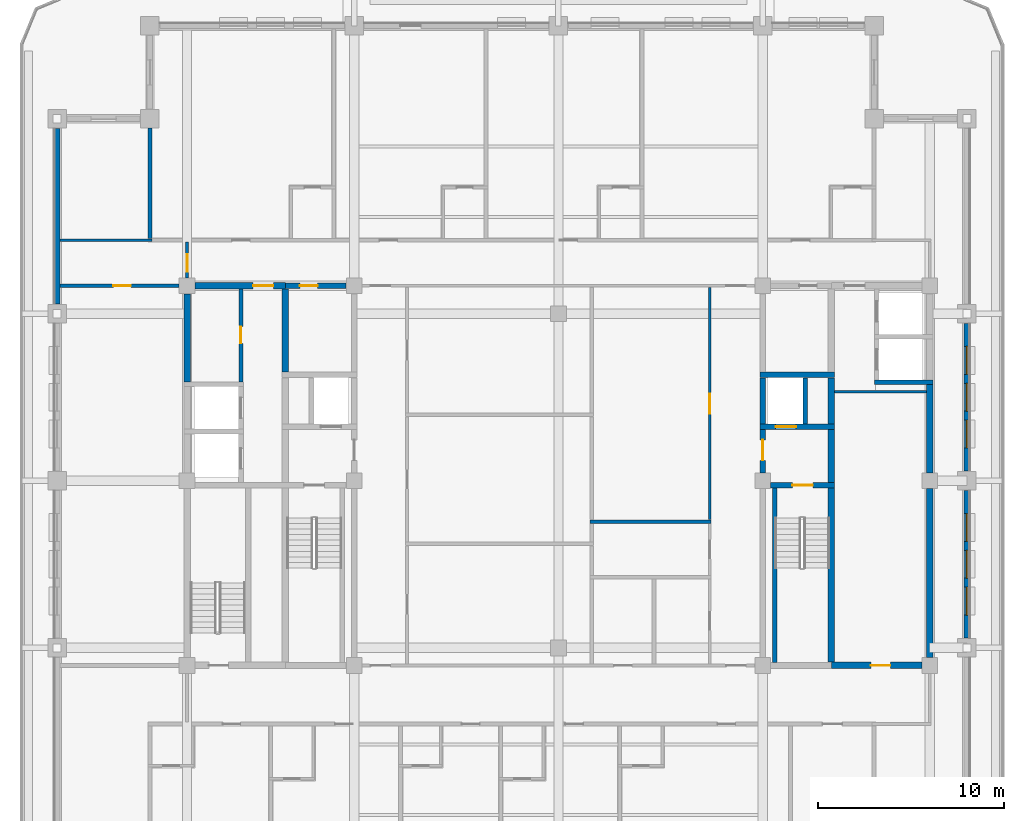
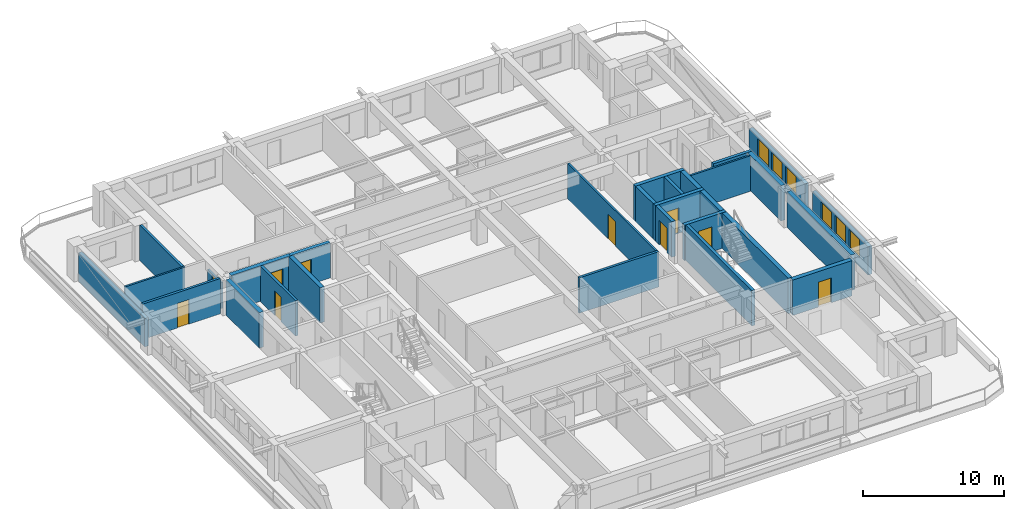
# One storey, part 5 of 14: 29 walls, 10 doors, 6 windows, 16 openings.
"""IFC4 building model written with IfcOpenShell, lengths in metres."""

from ifc_helpers import new_model, si_unit, direction, frame, frame_2d, origin, place, context, subcontext, project, spatial, rectangle, extrude, material, layer, layer_set, type_object, element, fill, save


model = new_model("IFC4")

# Units and contexts
model_context = context("Model", 3, precision=1e-05, world=origin(), true_north=direction((0.0, 1.0)))
body_context = subcontext(model_context, "Body", "Model", "MODEL_VIEW")
ifc_project = project(units=[si_unit("LENGTHUNIT", "METRE"), si_unit("AREAUNIT", "SQUARE_METRE"), si_unit("VOLUMEUNIT", "CUBIC_METRE"), si_unit("PLANEANGLEUNIT", "RADIAN"), si_unit("MASSUNIT", "GRAM", prefix="KILO")], contexts=[model_context])

# Site, building, storey
site_placement = place(None, origin())
site = spatial("IfcSite", under=ifc_project, at=site_placement, CompositionType="ELEMENT")
building_placement = place(site_placement, origin())
building = spatial("IfcBuilding", under=site, at=building_placement, Name="Zulmaris Gate Convention Tower", CompositionType="ELEMENT")
storey_placement = place(building_placement, frame((0.0, 0.0, 208.4599609375)))
storey = spatial("IfcBuildingStorey", under=building, at=storey_placement, Name="L54", CompositionType="ELEMENT", Elevation=208.4599609375)

# Walls
ifc_material_1 = material(Name="Concrete C50/60", Category="concrete")
ifc_layer_1 = layer(ifc_material_1, 0.25, Name="Concrete C50/60")
ifc_layer_set_1 = layer_set([ifc_layer_1], Name="Concrete C50/60")
wall_type_1 = type_object("IfcWallType", Name="CORE-250", PredefinedType="SOLIDWALL", material=ifc_layer_set_1)
wall_1_placement = place(storey_placement, frame((17.02490234375, 5.300048828125, 0.0), z_axis=(0.0, 0.0, 1.0), x_axis=(1.0, 0.0, 0.0)))
element("IfcWall", 1, at=wall_1_placement, inside=storey, type_object=wall_type_1, Name="WL-L54-011", PredefinedType="SOLIDWALL", context=body_context, shape_type="SweptSolid", body=[
    extrude(rectangle(XDim=3.150146484375, YDim=0.25, at=frame_2d((1.5751953125, 0.0))), origin(), (0.0, 0.0, 1.0), 3.074951171875),
])
wall_2_placement = place(storey_placement, frame((11.64990234375, -9.798095703125, 0.0), z_axis=(0.0, 0.0, 1.0), x_axis=(0.0, 1.0, 0.0)))
element("IfcWall", 2, at=wall_2_placement, inside=storey, type_object=wall_type_1, Name="WL-L54-063", PredefinedType="SOLIDWALL", context=body_context, shape_type="SweptSolid", body=[
    extrude(rectangle(XDim=9.39599609375, YDim=0.25, at=frame_2d((4.697998046875, 0.0))), origin(), (0.0, 0.0, 1.0), 3.074951171875),
])
wall_3_placement = place(storey_placement, frame((13.300048828125, 3.052001953125, 0.0), z_axis=(0.0, 0.0, 1.0), x_axis=(0.0, 1.0, 0.0)))
element("IfcWall", 3, at=wall_3_placement, inside=storey, type_object=wall_type_1, Name="WL-L54-064", PredefinedType="SOLIDWALL", context=body_context, shape_type="SweptSolid", body=[
    extrude(rectangle(XDim=2.49609375, YDim=0.25, at=frame_2d((1.248046875, 0.0))), origin(), (0.0, 0.0, 1.0), 3.074951171875),
])

# Wall, opening, door
ifc_layer_2 = layer(ifc_material_1, 0.300048828125, Name="Concrete C50/60")
ifc_layer_set_2 = layer_set([ifc_layer_2], Name="Concrete C50/60")
wall_type_2 = type_object("IfcWallType", Name="CORE-300", PredefinedType="SHEAR", material=ifc_layer_set_2)
wall_4_placement = place(storey_placement, frame((11.428955078125, -0.25, 0.0), z_axis=(0.0, 0.0, 1.0), x_axis=(1.0, 0.0, 0.0)))
wall_4 = element("IfcWall", 4, at=wall_4_placement, inside=storey, type_object=wall_type_2, Name="WL-L54-006", PredefinedType="SHEAR", context=body_context, shape_type="SweptSolid", body=[
    extrude(rectangle(XDim=3.446044921875, YDim=0.300048828125, at=frame_2d((1.72314453125, 0.0))), origin(), (0.0, 0.0, 1.0), 3.074951171875),
])
opening_1_placement = place(wall_4_placement, frame((1.1708984375, 0.0, 0.0)))
opening_1 = element("IfcOpeningElement", 5, at=opening_1_placement, cuts=wall_4, Name="Opening D-08", PredefinedType="OPENING", context=body_context, shape_type="SweptSolid", body=[
    extrude(rectangle(XDim=1.10009765625, YDim=2.14990234375, at=frame_2d((0.550048828125, 1.074951171875))), frame((0.0, 0.16015625, 0.0), z_axis=(0.0, -1.0, 0.0), x_axis=(1.0, 0.0, 0.0)), (0.0, 0.0, 1.0), 0.320068359375),
])
ifc_material_2 = material(Name="Fire-Rated Steel", Category="steel")
door_type_1 = type_object("IfcDoorType", Name="DR-1100-FD", OperationType="NOTDEFINED", PredefinedType="DOOR", material=ifc_material_2)
door_1_placement = place(opening_1_placement, origin())
door_1 = element("IfcDoor", 6, at=door_1_placement, inside=storey, type_object=door_type_1, Name="L54 Exit Stair ST-2 Door 04", OperationType="SINGLE_SWING_RIGHT", OverallHeight=2.14990234375, OverallWidth=1.10009765625, PredefinedType="DOOR", context=body_context, shape_type="SweptSolid", body=[
    extrude(rectangle(XDim=1.10009765625, YDim=2.14990234375, at=frame_2d((0.550048828125, 1.074951171875))), frame((0.0, 0.02490234375, 0.0), z_axis=(0.0, -1.0, 0.0), x_axis=(1.0, 0.0, 0.0)), (0.0, 0.0, 1.0), 0.050048828125),
])
fill(opening_1, door_1)

wall_5_placement = place(storey_placement, frame((10.85009765625, 2.89990234375, 0.0), z_axis=(0.0, 0.0, 1.0), x_axis=(1.0, 0.0, 0.0)))
wall_5 = element("IfcWall", 7, at=wall_5_placement, inside=storey, type_object=wall_type_2, Name="WL-L54-009", PredefinedType="SHEAR", context=body_context, shape_type="SweptSolid", body=[
    extrude(rectangle(XDim=4.02490234375, YDim=0.300048828125, at=frame_2d((2.012451171875, 0.0))), origin(), (0.0, 0.0, 1.0), 3.074951171875),
])
opening_2_placement = place(wall_5_placement, frame((0.85009765625, 0.0, 0.0)))
opening_2 = element("IfcOpeningElement", 8, at=opening_2_placement, cuts=wall_5, Name="Opening D-06", PredefinedType="OPENING", context=body_context, shape_type="SweptSolid", body=[
    extrude(rectangle(XDim=1.10009765625, YDim=2.199951171875, at=frame_2d((0.550048828125, 1.10009765625))), frame((0.0, 0.16015625, 0.0), z_axis=(0.0, -1.0, 0.0), x_axis=(1.0, 0.0, 0.0)), (0.0, 0.0, 1.0), 0.320068359375),
])
ifc_material_3 = material(Name="Brushed Stainless Steel", Category="steel")
door_type_2 = type_object("IfcDoorType", Name="LD-1100", OperationType="NOTDEFINED", PredefinedType="DOOR", material=ifc_material_3)
door_2_placement = place(opening_2_placement, origin())
door_2 = element("IfcDoor", 9, at=door_2_placement, inside=storey, type_object=door_type_2, Name="L54 Lift Landing Door LF-02 06", OperationType="SLIDING_TO_RIGHT", OverallHeight=2.199951171875, OverallWidth=1.10009765625, PredefinedType="DOOR", context=body_context, shape_type="SweptSolid", body=[
    extrude(rectangle(XDim=1.10009765625, YDim=2.199951171875, at=frame_2d((0.550048828125, 1.10009765625))), frame((0.0, 0.02490234375, 0.0), z_axis=(0.0, -1.0, 0.0), x_axis=(1.0, 0.0, 0.0)), (0.0, 0.0, 1.0), 0.050048828125),
])
fill(opening_2, door_2)

# Wall
wall_6_placement = place(storey_placement, frame((10.85009765625, 5.699951171875, 0.0), z_axis=(0.0, 0.0, 1.0), x_axis=(1.0, 0.0, 0.0)))
element("IfcWall", 10, at=wall_6_placement, inside=storey, type_object=wall_type_2, Name="WL-L54-013", PredefinedType="SHEAR", context=body_context, shape_type="SweptSolid", body=[
    extrude(rectangle(XDim=4.02490234375, YDim=0.300048828125, at=frame_2d((2.012451171875, 0.0))), origin(), (0.0, 0.0, 1.0), 3.074951171875),
])

# Wall, opening, door
wall_7_placement = place(storey_placement, frame((-14.699951171875, 10.5, 0.0), z_axis=(0.0, 0.0, 1.0), x_axis=(1.0, 0.0, 0.0)))
wall_7 = element("IfcWall", 11, at=wall_7_placement, inside=storey, type_object=wall_type_2, Name="WL-L54-016", PredefinedType="SHEAR", context=body_context, shape_type="SweptSolid", body=[
    extrude(rectangle(XDim=3.27099609375, YDim=0.300048828125, at=frame_2d((1.635498046875, 0.0))), origin(), (0.0, 0.0, 1.0), 3.074951171875),
])
opening_3_placement = place(wall_7_placement, frame((0.77490234375, 0.0, 0.0)))
opening_3 = element("IfcOpeningElement", 12, at=opening_3_placement, cuts=wall_7, Name="Opening D-11", PredefinedType="OPENING", context=body_context, shape_type="SweptSolid", body=[
    extrude(rectangle(XDim=0.949951171875, YDim=2.14990234375, at=frame_2d((0.47509765625, 1.074951171875))), frame((0.0, 0.16015625, 0.0), z_axis=(0.0, -1.0, 0.0), x_axis=(1.0, 0.0, 0.0)), (0.0, 0.0, 1.0), 0.320068359375),
])
ifc_material_4 = material(Name="Fire-Rated Timber", Category="wood")
door_type_3 = type_object("IfcDoorType", Name="DR-950-FD", OperationType="NOTDEFINED", PredefinedType="DOOR", material=ifc_material_4)
door_3_placement = place(opening_3_placement, origin())
door_3 = element("IfcDoor", 13, at=door_3_placement, inside=storey, type_object=door_type_3, Name="L54 Core Pantry Door 07", OperationType="SINGLE_SWING_RIGHT", OverallHeight=2.14990234375, OverallWidth=0.949951171875, PredefinedType="DOOR", context=body_context, shape_type="SweptSolid", body=[
    extrude(rectangle(XDim=0.949951171875, YDim=2.14990234375, at=frame_2d((0.47509765625, 1.074951171875))), frame((0.0, 0.02490234375, 0.0), z_axis=(0.0, -1.0, 0.0), x_axis=(1.0, 0.0, 0.0)), (0.0, 0.0, 1.0), 0.050048828125),
])
fill(opening_3, door_3)

wall_8_placement = place(storey_placement, frame((11.0, 0.428955078125, 0.0), z_axis=(0.0, 0.0, 1.0), x_axis=(0.0, 1.0, 0.0)))
wall_8 = element("IfcWall", 14, at=wall_8_placement, inside=storey, type_object=wall_type_2, Name="WL-L54-060", PredefinedType="SHEAR", context=body_context, shape_type="SweptSolid", body=[
    extrude(rectangle(XDim=2.319091796875, YDim=0.300048828125, at=frame_2d((1.15966796875, 0.0))), origin(), (0.0, 0.0, 1.0), 3.074951171875),
])
opening_4_placement = place(wall_8_placement, frame((0.6708984375, 0.0, 0.0)))
opening_4 = element("IfcOpeningElement", 15, at=opening_4_placement, cuts=wall_8, Name="Opening D-08", PredefinedType="OPENING", context=body_context, shape_type="SweptSolid", body=[
    extrude(rectangle(XDim=1.10009765625, YDim=2.14990234375, at=frame_2d((0.550048828125, 1.074951171875))), frame((0.0, 0.16015625, 0.0), z_axis=(0.0, -1.0, 0.0), x_axis=(1.0, 0.0, 0.0)), (0.0, 0.0, 1.0), 0.320068359375),
])
door_4_placement = place(opening_4_placement, origin())
door_4 = element("IfcDoor", 16, at=door_4_placement, inside=storey, type_object=door_type_1, Name="L54 East Firefighting Lobby Door 05", OperationType="SINGLE_SWING_LEFT", OverallHeight=2.14990234375, OverallWidth=1.10009765625, PredefinedType="DOOR", context=body_context, shape_type="SweptSolid", body=[
    extrude(rectangle(XDim=1.10009765625, YDim=2.14990234375, at=frame_2d((0.550048828125, 1.074951171875))), frame((0.0, 0.02490234375, 0.0), z_axis=(0.0, -1.0, 0.0), x_axis=(1.0, 0.0, 0.0)), (0.0, 0.0, 1.0), 0.050048828125),
])
fill(opening_4, door_4)

# Wall
wall_9_placement = place(storey_placement, frame((11.0, 3.052001953125, 0.0), z_axis=(0.0, 0.0, 1.0), x_axis=(0.0, 1.0, 0.0)))
element("IfcWall", 17, at=wall_9_placement, inside=storey, type_object=wall_type_2, Name="WL-L54-061", PredefinedType="SHEAR", context=body_context, shape_type="SweptSolid", body=[
    extrude(rectangle(XDim=2.49609375, YDim=0.300048828125, at=frame_2d((1.248046875, 0.0))), origin(), (0.0, 0.0, 1.0), 3.074951171875),
])

# Wall, opening, door
ifc_material_5 = material(Name="Concrete C55/67", Category="concrete")
ifc_layer_3 = layer(ifc_material_5, 0.35009765625, Name="Concrete C55/67")
ifc_layer_set_3 = layer_set([ifc_layer_3], Name="Concrete C55/67")
wall_type_3 = type_object("IfcWallType", Name="CORE-350", PredefinedType="SHEAR", material=ifc_layer_set_3)
wall_10_placement = place(storey_placement, frame((14.699951171875, -9.949951171875, 0.0), z_axis=(0.0, 0.0, 1.0), x_axis=(1.0, 0.0, 0.0)))
wall_10 = element("IfcWall", 18, at=wall_10_placement, inside=storey, type_object=wall_type_3, Name="WL-L54-004", PredefinedType="SHEAR", context=body_context, shape_type="SweptSolid", body=[
    extrude(rectangle(XDim=4.87109375, YDim=0.35009765625, at=frame_2d((2.435546875, 0.0))), origin(), (0.0, 0.0, 1.0), 3.074951171875),
])
opening_5_placement = place(wall_10_placement, frame((2.125, 0.0, 0.0)))
opening_5 = element("IfcOpeningElement", 19, at=opening_5_placement, cuts=wall_10, Name="Opening D-09", PredefinedType="OPENING", context=body_context, shape_type="SweptSolid", body=[
    extrude(rectangle(XDim=1.050048828125, YDim=2.14990234375, at=frame_2d((0.52490234375, 1.074951171875))), frame((0.0, 0.18505859375, 0.0), z_axis=(0.0, -1.0, 0.0), x_axis=(1.0, 0.0, 0.0)), (0.0, 0.0, 1.0), 0.3701171875),
])
door_type_4 = type_object("IfcDoorType", Name="DR-1050-FD", OperationType="NOTDEFINED", PredefinedType="DOOR", material=ifc_material_2)
door_5_placement = place(opening_5_placement, origin())
door_5 = element("IfcDoor", 20, at=door_5_placement, inside=storey, type_object=door_type_4, Name="L54 Housekeeping Hall Door 17", OperationType="SINGLE_SWING_RIGHT", OverallHeight=2.14990234375, OverallWidth=1.050048828125, PredefinedType="DOOR", context=body_context, shape_type="SweptSolid", body=[
    extrude(rectangle(XDim=1.050048828125, YDim=2.14990234375, at=frame_2d((0.52490234375, 1.074951171875))), frame((0.0, 0.02490234375, 0.0), z_axis=(0.0, -1.0, 0.0), x_axis=(1.0, 0.0, 0.0)), (0.0, 0.0, 1.0), 0.050048828125),
])
fill(opening_5, door_5)

wall_11_placement = place(storey_placement, frame((-19.571044921875, 10.5, 0.0), z_axis=(0.0, 0.0, 1.0), x_axis=(1.0, 0.0, 0.0)))
wall_11 = element("IfcWall", 21, at=wall_11_placement, inside=storey, type_object=wall_type_3, Name="WL-L54-015", PredefinedType="SHEAR", context=body_context, shape_type="SweptSolid", body=[
    extrude(rectangle(XDim=4.87109375, YDim=0.35009765625, at=frame_2d((2.435546875, 0.0))), origin(), (0.0, 0.0, 1.0), 3.074951171875),
])
opening_6_placement = place(wall_11_placement, frame((3.12109375, 0.0, 0.0)))
opening_6 = element("IfcOpeningElement", 22, at=opening_6_placement, cuts=wall_11, Name="Opening D-08", PredefinedType="OPENING", context=body_context, shape_type="SweptSolid", body=[
    extrude(rectangle(XDim=1.10009765625, YDim=2.14990234375, at=frame_2d((0.550048828125, 1.074951171875))), frame((0.0, 0.18505859375, 0.0), z_axis=(0.0, -1.0, 0.0), x_axis=(1.0, 0.0, 0.0)), (0.0, 0.0, 1.0), 0.3701171875),
])
door_6_placement = place(opening_6_placement, origin())
door_6 = element("IfcDoor", 23, at=door_6_placement, inside=storey, type_object=door_type_1, Name="L54 High-Rise West Lift Lobby Door 12", OperationType="SINGLE_SWING_LEFT", OverallHeight=2.14990234375, OverallWidth=1.10009765625, PredefinedType="DOOR", context=body_context, shape_type="SweptSolid", body=[
    extrude(rectangle(XDim=1.10009765625, YDim=2.14990234375, at=frame_2d((0.550048828125, 1.074951171875))), frame((0.0, 0.02490234375, 0.0), z_axis=(0.0, -1.0, 0.0), x_axis=(1.0, 0.0, 0.0)), (0.0, 0.0, 1.0), 0.050048828125),
])
fill(opening_6, door_6)

# Walls
wall_12_placement = place(storey_placement, frame((-20.0, 5.326904296875, 0.0), z_axis=(0.0, 0.0, 1.0), x_axis=(0.0, 1.0, 0.0)))
element("IfcWall", 24, at=wall_12_placement, inside=storey, type_object=wall_type_3, Name="WL-L54-045", PredefinedType="SHEAR", context=body_context, shape_type="SweptSolid", body=[
    extrude(rectangle(XDim=4.744140625, YDim=0.35009765625, at=frame_2d((2.3720703125, 0.0))), origin(), (0.0, 0.0, 1.0), 3.074951171875),
])
wall_13_placement = place(storey_placement, frame((-14.699951171875, 5.85205078125, 0.0), z_axis=(0.0, 0.0, 1.0), x_axis=(0.0, 1.0, 0.0)))
element("IfcWall", 25, at=wall_13_placement, inside=storey, type_object=wall_type_3, Name="WL-L54-052", PredefinedType="SHEAR", context=body_context, shape_type="SweptSolid", body=[
    extrude(rectangle(XDim=4.470947265625, YDim=0.35009765625, at=frame_2d((2.2353515625, 0.0))), origin(), (0.0, 0.0, 1.0), 3.074951171875),
])
wall_14_placement = place(storey_placement, frame((14.699951171875, -9.77294921875, 0.0), z_axis=(0.0, 0.0, 1.0), x_axis=(0.0, 1.0, 0.0)))
element("IfcWall", 26, at=wall_14_placement, inside=storey, type_object=wall_type_3, Name="WL-L54-065", PredefinedType="SHEAR", context=body_context, shape_type="SweptSolid", body=[
    extrude(rectangle(XDim=9.370849609375, YDim=0.35009765625, at=frame_2d((4.685546875, 0.0))), origin(), (0.0, 0.0, 1.0), 3.074951171875),
])
wall_15_placement = place(storey_placement, frame((14.699951171875, -0.097900390625, 0.0), z_axis=(0.0, 0.0, 1.0), x_axis=(0.0, 1.0, 0.0)))
element("IfcWall", 27, at=wall_15_placement, inside=storey, type_object=wall_type_3, Name="WL-L54-066", PredefinedType="SHEAR", context=body_context, shape_type="SweptSolid", body=[
    extrude(rectangle(XDim=2.845947265625, YDim=0.35009765625, at=frame_2d((1.4228515625, 0.0))), origin(), (0.0, 0.0, 1.0), 3.074951171875),
])
wall_16_placement = place(storey_placement, frame((14.699951171875, 3.052001953125, 0.0), z_axis=(0.0, 0.0, 1.0), x_axis=(0.0, 1.0, 0.0)))
element("IfcWall", 28, at=wall_16_placement, inside=storey, type_object=wall_type_3, Name="WL-L54-067", PredefinedType="SHEAR", context=body_context, shape_type="SweptSolid", body=[
    extrude(rectangle(XDim=2.49609375, YDim=0.35009765625, at=frame_2d((1.248046875, 0.0))), origin(), (0.0, 0.0, 1.0), 3.074951171875),
])
wall_17_placement = place(storey_placement, frame((20.0, -9.52099609375, 0.0), z_axis=(0.0, 0.0, 1.0), x_axis=(0.0, 1.0, 0.0)))
element("IfcWall", 29, at=wall_17_placement, inside=storey, type_object=wall_type_3, Name="WL-L54-071", PredefinedType="SHEAR", context=body_context, shape_type="SweptSolid", body=[
    extrude(rectangle(XDim=9.092041015625, YDim=0.35009765625, at=frame_2d((4.5458984375, 0.0))), origin(), (0.0, 0.0, 1.0), 3.074951171875),
])
wall_18_placement = place(storey_placement, frame((20.0, 0.428955078125, 0.0), z_axis=(0.0, 0.0, 1.0), x_axis=(0.0, 1.0, 0.0)))
element("IfcWall", 30, at=wall_18_placement, inside=storey, type_object=wall_type_3, Name="WL-L54-071S1", PredefinedType="SHEAR", context=body_context, shape_type="SweptSolid", body=[
    extrude(rectangle(XDim=4.744140625, YDim=0.35009765625, at=frame_2d((2.3720703125, 0.0))), origin(), (0.0, 0.0, 1.0), 3.074951171875),
])
ifc_material_6 = material(Name="Gypsum Metal Stud Partition")
ifc_layer_4 = layer(ifc_material_6, 0.14990234375, Name="Gypsum Metal Stud Partition")
ifc_layer_set_4 = layer_set([ifc_layer_4], Name="Gypsum Metal Stud Partition")
wall_type_4 = type_object("IfcWallType", Name="PART-150", PredefinedType="PARTITIONING", material=ifc_layer_set_4)
wall_19_placement = place(storey_placement, frame((14.8779296875, 4.800048828125, 0.0), z_axis=(0.0, 0.0, 1.0), x_axis=(1.0, 0.0, 0.0)))
element("IfcWall", 31, at=wall_19_placement, inside=storey, type_object=wall_type_4, Name="WL-L54-032", PredefinedType="PARTITIONING", context=body_context, shape_type="SweptSolid", body=[
    extrude(rectangle(XDim=4.944091796875, YDim=0.14990234375, at=frame_2d((2.47216796875, 0.0))), origin(), (0.0, 0.0, 1.0), 3.074951171875),
])
wall_20_placement = place(storey_placement, frame((-26.8349609375, 12.949951171875, 0.0), z_axis=(0.0, 0.0, 1.0), x_axis=(1.0, 0.0, 0.0)))
element("IfcWall", 32, at=wall_20_placement, inside=storey, type_object=wall_type_4, Name="WL-L54-035", PredefinedType="PARTITIONING", context=body_context, shape_type="SweptSolid", body=[
    extrude(rectangle(XDim=4.93505859375, YDim=0.14990234375, at=frame_2d((2.467529296875, 0.0))), origin(), (0.0, 0.0, 1.0), 3.074951171875),
])

# Wall, opening, door
wall_21_placement = place(storey_placement, frame((-20.0, 10.930908203125, 0.0), z_axis=(0.0, 0.0, 1.0), x_axis=(0.0, 1.0, 0.0)))
wall_21 = element("IfcWall", 33, at=wall_21_placement, inside=storey, type_object=wall_type_4, Name="WL-L54-078", PredefinedType="PARTITIONING", context=body_context, shape_type="SweptSolid", body=[
    extrude(rectangle(XDim=1.916015625, YDim=0.14990234375, at=frame_2d((0.9580078125, 0.0))), origin(), (0.0, 0.0, 1.0), 2.266845703125),
])
opening_7_placement = place(wall_21_placement, frame((0.31396484375, 0.0, 0.0)))
opening_7 = element("IfcOpeningElement", 34, at=opening_7_placement, cuts=wall_21, Name="Opening D-11", PredefinedType="OPENING", context=body_context, shape_type="SweptSolid", body=[
    extrude(rectangle(XDim=0.949951171875, YDim=2.14990234375, at=frame_2d((0.47509765625, 1.074951171875))), frame((0.0, 0.0849609375, 0.0), z_axis=(0.0, -1.0, 0.0), x_axis=(1.0, 0.0, 0.0)), (0.0, 0.0, 1.0), 0.169921875),
])
door_7_placement = place(opening_7_placement, origin())
door_7 = element("IfcDoor", 35, at=door_7_placement, inside=storey, type_object=door_type_3, Name="L54 West Spur Door 48", OperationType="SINGLE_SWING_LEFT", OverallHeight=2.14990234375, OverallWidth=0.949951171875, PredefinedType="DOOR", context=body_context, shape_type="SweptSolid", body=[
    extrude(rectangle(XDim=0.949951171875, YDim=2.14990234375, at=frame_2d((0.47509765625, 1.074951171875))), frame((0.0, 0.02490234375, 0.0), z_axis=(0.0, -1.0, 0.0), x_axis=(1.0, 0.0, 0.0)), (0.0, 0.0, 1.0), 0.050048828125),
])
fill(opening_7, door_7)

wall_22_placement = place(storey_placement, frame((8.14990234375, -2.096923828125, 0.0), z_axis=(0.0, 0.0, 1.0), x_axis=(0.0, 1.0, 0.0)))
wall_22 = element("IfcWall", 36, at=wall_22_placement, inside=storey, type_object=wall_type_4, Name="WL-L54-113", PredefinedType="PARTITIONING", context=body_context, shape_type="SweptSolid", body=[
    extrude(rectangle(XDim=12.51904296875, YDim=0.14990234375, at=frame_2d((6.259521484375, 0.0))), origin(), (0.0, 0.0, 1.0), 3.074951171875),
])
opening_8_placement = place(wall_22_placement, frame((5.697021484375, 0.0, 0.0)))
opening_8 = element("IfcOpeningElement", 37, at=opening_8_placement, cuts=wall_22, Name="Opening D-08", PredefinedType="OPENING", context=body_context, shape_type="SweptSolid", body=[
    extrude(rectangle(XDim=1.10009765625, YDim=2.14990234375, at=frame_2d((0.550048828125, 1.074951171875))), frame((0.0, 0.0849609375, 0.0), z_axis=(0.0, -1.0, 0.0), x_axis=(1.0, 0.0, 0.0)), (0.0, 0.0, 1.0), 0.169921875),
])
door_8_placement = place(opening_8_placement, origin())
door_8 = element("IfcDoor", 38, at=door_8_placement, inside=storey, type_object=door_type_1, Name="L54 Breakout Room Door 44", OperationType="SINGLE_SWING_LEFT", OverallHeight=2.14990234375, OverallWidth=1.10009765625, PredefinedType="DOOR", context=body_context, shape_type="SweptSolid", body=[
    extrude(rectangle(XDim=1.10009765625, YDim=2.14990234375, at=frame_2d((0.550048828125, 1.074951171875))), frame((0.0, 0.02490234375, 0.0), z_axis=(0.0, -1.0, 0.0), x_axis=(1.0, 0.0, 0.0)), (0.0, 0.0, 1.0), 0.050048828125),
])
fill(opening_8, door_8)

# Wall
ifc_material_7 = material(Name="Autoclaved Aerated Concrete Block and Plasterboard", Category="concrete")
ifc_layer_5 = layer(ifc_material_7, 0.199951171875, Name="Autoclaved Aerated Concrete Block and Plasterboard")
ifc_layer_set_5 = layer_set([ifc_layer_5], Name="Autoclaved Aerated Concrete Block and Plasterboard")
wall_type_5 = type_object("IfcWallType", Name="PART-200", PredefinedType="PARTITIONING", material=ifc_layer_set_5)
wall_23_placement = place(storey_placement, frame((1.699951171875, -2.199951171875, 0.0), z_axis=(0.0, 0.0, 1.0), x_axis=(1.0, 0.0, 0.0)))
element("IfcWall", 39, at=wall_23_placement, inside=storey, type_object=wall_type_5, Name="WL-L54-030", PredefinedType="PARTITIONING", context=body_context, shape_type="SweptSolid", body=[
    extrude(rectangle(XDim=6.525146484375, YDim=0.199951171875, at=frame_2d((3.2626953125, 0.0))), origin(), (0.0, 0.0, 1.0), 3.074951171875),
])

# Wall, opening, door
wall_24_placement = place(storey_placement, frame((-26.8349609375, 10.5, 0.0), z_axis=(0.0, 0.0, 1.0), x_axis=(1.0, 0.0, 0.0)))
wall_24 = element("IfcWall", 40, at=wall_24_placement, inside=storey, type_object=wall_type_5, Name="WL-L54-033", PredefinedType="PARTITIONING", context=body_context, shape_type="SweptSolid", body=[
    extrude(rectangle(XDim=6.404052734375, YDim=0.199951171875, at=frame_2d((3.2021484375, 0.0))), origin(), (0.0, 0.0, 1.0), 3.074951171875),
])
opening_9_placement = place(wall_24_placement, frame((2.860107421875, 0.0, 0.0)))
opening_9 = element("IfcOpeningElement", 41, at=opening_9_placement, cuts=wall_24, Name="Opening D-11", PredefinedType="OPENING", context=body_context, shape_type="SweptSolid", body=[
    extrude(rectangle(XDim=0.949951171875, YDim=2.14990234375, at=frame_2d((0.47509765625, 1.074951171875))), frame((0.0, 0.10986328125, 0.0), z_axis=(0.0, -1.0, 0.0), x_axis=(1.0, 0.0, 0.0)), (0.0, 0.0, 1.0), 0.219970703125),
])
door_9_placement = place(opening_9_placement, origin())
door_9 = element("IfcDoor", 42, at=door_9_placement, inside=storey, type_object=door_type_3, Name="L54 Sunset Lounge Door 49", OperationType="SINGLE_SWING_RIGHT", OverallHeight=2.14990234375, OverallWidth=0.949951171875, PredefinedType="DOOR", context=body_context, shape_type="SweptSolid", body=[
    extrude(rectangle(XDim=0.949951171875, YDim=2.14990234375, at=frame_2d((0.47509765625, 1.074951171875))), frame((0.0, 0.02490234375, 0.0), z_axis=(0.0, -1.0, 0.0), x_axis=(1.0, 0.0, 0.0)), (0.0, 0.0, 1.0), 0.050048828125),
])
fill(opening_9, door_9)

# Wall
wall_25_placement = place(storey_placement, frame((-22.0, 13.052978515625, 0.0), z_axis=(0.0, 0.0, 1.0), x_axis=(0.0, 1.0, 0.0)))
element("IfcWall", 43, at=wall_25_placement, inside=storey, type_object=wall_type_5, Name="WL-L54-076", PredefinedType="PARTITIONING", context=body_context, shape_type="SweptSolid", body=[
    extrude(rectangle(XDim=5.94091796875, YDim=0.199951171875, at=frame_2d((2.970458984375, 0.0))), origin(), (0.0, 0.0, 1.0), 3.074951171875),
])

# Wall, opening, door
wall_26_placement = place(storey_placement, frame((-17.10009765625, 5.327880859375, 0.0), z_axis=(0.0, 0.0, 1.0), x_axis=(0.0, 1.0, 0.0)))
wall_26 = element("IfcWall", 44, at=wall_26_placement, inside=storey, type_object=wall_type_5, Name="WL-L54-080", PredefinedType="PARTITIONING", context=body_context, shape_type="SweptSolid", body=[
    extrude(rectangle(XDim=4.994140625, YDim=0.199951171875, at=frame_2d((2.4970703125, 0.0))), origin(), (0.0, 0.0, 1.0), 3.074951171875),
])
opening_10_placement = place(wall_26_placement, frame((2.072021484375, 0.0, 0.0)))
opening_10 = element("IfcOpeningElement", 45, at=opening_10_placement, cuts=wall_26, Name="Opening D-12", PredefinedType="OPENING", context=body_context, shape_type="SweptSolid", body=[
    extrude(rectangle(XDim=0.89990234375, YDim=2.14990234375, at=frame_2d((0.449951171875, 1.074951171875))), frame((0.0, 0.10986328125, 0.0), z_axis=(0.0, -1.0, 0.0), x_axis=(1.0, 0.0, 0.0)), (0.0, 0.0, 1.0), 0.219970703125),
])
door_type_5 = type_object("IfcDoorType", Name="DR-900-FD", OperationType="NOTDEFINED", PredefinedType="DOOR", material=ifc_material_4)
door_10_placement = place(opening_10_placement, origin())
door_10 = element("IfcDoor", 46, at=door_10_placement, inside=storey, type_object=door_type_5, Name="L54 Housekeeping Door 13", OperationType="SINGLE_SWING_RIGHT", OverallHeight=2.14990234375, OverallWidth=0.89990234375, PredefinedType="DOOR", context=body_context, shape_type="SweptSolid", body=[
    extrude(rectangle(XDim=0.89990234375, YDim=2.14990234375, at=frame_2d((0.449951171875, 1.074951171875))), frame((0.0, 0.02490234375, 0.0), z_axis=(0.0, -1.0, 0.0), x_axis=(1.0, 0.0, 0.0)), (0.0, 0.0, 1.0), 0.050048828125),
])
fill(opening_10, door_10)

# Wall, openings, windows
ifc_material_8 = material(Name="Precast concrete C40/50", Category="concrete")
ifc_layer_6 = layer(ifc_material_8, 0.300048828125, Name="Precast concrete C40/50")
ifc_layer_set_6 = layer_set([ifc_layer_6], Name="Precast concrete C40/50")
wall_type_6 = type_object("IfcWallType", Name="PRECAST-PIER-300", PredefinedType="STANDARD", material=ifc_layer_set_6)
wall_27_placement = place(storey_placement, frame((22.0, -8.469970703125, 0.0), z_axis=(0.0, 0.0, 1.0), x_axis=(0.0, 1.0, 0.0)))
wall_27 = element("IfcWall", 47, at=wall_27_placement, inside=storey, type_object=wall_type_6, Name="EW-L54-E-1_0", PredefinedType="STANDARD", context=body_context, shape_type="SweptSolid", body=[
    extrude(rectangle(XDim=7.93994140625, YDim=0.300048828125, at=frame_2d((3.969970703125, 0.0))), origin(), (0.0, 0.0, 1.0), 2.467041015625),
])
opening_11_placement = place(wall_27_placement, frame((1.235107421875, 0.0, 0.719970703125)))
opening_11 = element("IfcOpeningElement", 48, at=opening_11_placement, cuts=wall_27, Name="Opening W-03", PredefinedType="OPENING", context=body_context, shape_type="SweptSolid", body=[
    extrude(rectangle(XDim=1.5, YDim=1.60009765625, at=frame_2d((0.75, 0.800048828125))), frame((0.0, 0.16015625, 0.0), z_axis=(0.0, -1.0, 0.0), x_axis=(1.0, 0.0, 0.0)), (0.0, 0.0, 1.0), 0.320068359375),
])
opening_12_placement = place(wall_27_placement, frame((3.219970703125, 0.0, 0.719970703125)))
opening_12 = element("IfcOpeningElement", 49, at=opening_12_placement, cuts=wall_27, Name="Opening W-03", PredefinedType="OPENING", context=body_context, shape_type="SweptSolid", body=[
    extrude(rectangle(XDim=1.5, YDim=1.60009765625, at=frame_2d((0.75, 0.800048828125))), frame((0.0, 0.16015625, 0.0), z_axis=(0.0, -1.0, 0.0), x_axis=(1.0, 0.0, 0.0)), (0.0, 0.0, 1.0), 0.320068359375),
])
opening_13_placement = place(wall_27_placement, frame((5.205078125, 0.0, 0.719970703125)))
opening_13 = element("IfcOpeningElement", 50, at=opening_13_placement, cuts=wall_27, Name="Opening W-03", PredefinedType="OPENING", context=body_context, shape_type="SweptSolid", body=[
    extrude(rectangle(XDim=1.5, YDim=1.60009765625, at=frame_2d((0.75, 0.800048828125))), frame((0.0, 0.16015625, 0.0), z_axis=(0.0, -1.0, 0.0), x_axis=(1.0, 0.0, 0.0)), (0.0, 0.0, 1.0), 0.320068359375),
])
ifc_material_9 = material(Name="Low-E Laminated Double Glazing in Aluminium Frame", Category="aluminium")
window_type = type_object("IfcWindowType", Name="WIN-1500x2100", PartitioningType="SINGLE_PANEL", PredefinedType="WINDOW", material=ifc_material_9)
window_1_placement = place(opening_11_placement, origin())
window_1 = element("IfcWindow", 51, at=window_1_placement, inside=storey, type_object=window_type, Name="WN-EW-L54-E-1_0-1", OverallHeight=1.60009765625, OverallWidth=1.5, PartitioningType="SINGLE_PANEL", PredefinedType="WINDOW", context=body_context, shape_type="SweptSolid", body=[
    extrude(rectangle(XDim=1.5, YDim=1.60009765625, at=frame_2d((0.75, 0.800048828125))), frame((0.0, 0.030029296875, 0.0), z_axis=(0.0, -1.0, 0.0), x_axis=(1.0, 0.0, 0.0)), (0.0, 0.0, 1.0), 0.06005859375),
])
fill(opening_11, window_1)
window_2_placement = place(opening_12_placement, origin())
window_2 = element("IfcWindow", 52, at=window_2_placement, inside=storey, type_object=window_type, Name="WN-EW-L54-E-1_0-2", OverallHeight=1.60009765625, OverallWidth=1.5, PartitioningType="SINGLE_PANEL", PredefinedType="WINDOW", context=body_context, shape_type="SweptSolid", body=[
    extrude(rectangle(XDim=1.5, YDim=1.60009765625, at=frame_2d((0.75, 0.800048828125))), frame((0.0, 0.030029296875, 0.0), z_axis=(0.0, -1.0, 0.0), x_axis=(1.0, 0.0, 0.0)), (0.0, 0.0, 1.0), 0.06005859375),
])
fill(opening_12, window_2)
window_3_placement = place(opening_13_placement, origin())
window_3 = element("IfcWindow", 53, at=window_3_placement, inside=storey, type_object=window_type, Name="WN-EW-L54-E-1_0-3", OverallHeight=1.60009765625, OverallWidth=1.5, PartitioningType="SINGLE_PANEL", PredefinedType="WINDOW", context=body_context, shape_type="SweptSolid", body=[
    extrude(rectangle(XDim=1.5, YDim=1.60009765625, at=frame_2d((0.75, 0.800048828125))), frame((0.0, 0.030029296875, 0.0), z_axis=(0.0, -1.0, 0.0), x_axis=(1.0, 0.0, 0.0)), (0.0, 0.0, 1.0), 0.06005859375),
])
fill(opening_13, window_3)

wall_28_placement = place(storey_placement, frame((22.0, 0.530029296875, 0.0), z_axis=(0.0, 0.0, 1.0), x_axis=(0.0, 1.0, 0.0)))
wall_28 = element("IfcWall", 54, at=wall_28_placement, inside=storey, type_object=wall_type_6, Name="EW-L54-E-2_0", PredefinedType="STANDARD", context=body_context, shape_type="SweptSolid", body=[
    extrude(rectangle(XDim=7.93994140625, YDim=0.300048828125, at=frame_2d((3.969970703125, 0.0))), origin(), (0.0, 0.0, 1.0), 2.467041015625),
])
opening_14_placement = place(wall_28_placement, frame((1.235107421875, 0.0, 0.719970703125)))
opening_14 = element("IfcOpeningElement", 55, at=opening_14_placement, cuts=wall_28, Name="Opening W-03", PredefinedType="OPENING", context=body_context, shape_type="SweptSolid", body=[
    extrude(rectangle(XDim=1.5, YDim=1.60009765625, at=frame_2d((0.75, 0.800048828125))), frame((0.0, 0.16015625, 0.0), z_axis=(0.0, -1.0, 0.0), x_axis=(1.0, 0.0, 0.0)), (0.0, 0.0, 1.0), 0.320068359375),
])
opening_15_placement = place(wall_28_placement, frame((3.219970703125, 0.0, 0.719970703125)))
opening_15 = element("IfcOpeningElement", 56, at=opening_15_placement, cuts=wall_28, Name="Opening W-03", PredefinedType="OPENING", context=body_context, shape_type="SweptSolid", body=[
    extrude(rectangle(XDim=1.5, YDim=1.60009765625, at=frame_2d((0.75, 0.800048828125))), frame((0.0, 0.16015625, 0.0), z_axis=(0.0, -1.0, 0.0), x_axis=(1.0, 0.0, 0.0)), (0.0, 0.0, 1.0), 0.320068359375),
])
opening_16_placement = place(wall_28_placement, frame((5.205078125, 0.0, 0.719970703125)))
opening_16 = element("IfcOpeningElement", 57, at=opening_16_placement, cuts=wall_28, Name="Opening W-03", PredefinedType="OPENING", context=body_context, shape_type="SweptSolid", body=[
    extrude(rectangle(XDim=1.5, YDim=1.60009765625, at=frame_2d((0.75, 0.800048828125))), frame((0.0, 0.16015625, 0.0), z_axis=(0.0, -1.0, 0.0), x_axis=(1.0, 0.0, 0.0)), (0.0, 0.0, 1.0), 0.320068359375),
])
window_4_placement = place(opening_14_placement, origin())
window_4 = element("IfcWindow", 58, at=window_4_placement, inside=storey, type_object=window_type, Name="WN-EW-L54-E-2_0-1", OverallHeight=1.60009765625, OverallWidth=1.5, PartitioningType="SINGLE_PANEL", PredefinedType="WINDOW", context=body_context, shape_type="SweptSolid", body=[
    extrude(rectangle(XDim=1.5, YDim=1.60009765625, at=frame_2d((0.75, 0.800048828125))), frame((0.0, 0.030029296875, 0.0), z_axis=(0.0, -1.0, 0.0), x_axis=(1.0, 0.0, 0.0)), (0.0, 0.0, 1.0), 0.06005859375),
])
fill(opening_14, window_4)
window_5_placement = place(opening_15_placement, origin())
window_5 = element("IfcWindow", 59, at=window_5_placement, inside=storey, type_object=window_type, Name="WN-EW-L54-E-2_0-2", OverallHeight=1.60009765625, OverallWidth=1.5, PartitioningType="SINGLE_PANEL", PredefinedType="WINDOW", context=body_context, shape_type="SweptSolid", body=[
    extrude(rectangle(XDim=1.5, YDim=1.60009765625, at=frame_2d((0.75, 0.800048828125))), frame((0.0, 0.030029296875, 0.0), z_axis=(0.0, -1.0, 0.0), x_axis=(1.0, 0.0, 0.0)), (0.0, 0.0, 1.0), 0.06005859375),
])
fill(opening_15, window_5)
window_6_placement = place(opening_16_placement, origin())
window_6 = element("IfcWindow", 60, at=window_6_placement, inside=storey, type_object=window_type, Name="WN-EW-L54-E-2_0-3", OverallHeight=1.60009765625, OverallWidth=1.5, PartitioningType="SINGLE_PANEL", PredefinedType="WINDOW", context=body_context, shape_type="SweptSolid", body=[
    extrude(rectangle(XDim=1.5, YDim=1.60009765625, at=frame_2d((0.75, 0.800048828125))), frame((0.0, 0.030029296875, 0.0), z_axis=(0.0, -1.0, 0.0), x_axis=(1.0, 0.0, 0.0)), (0.0, 0.0, 1.0), 0.06005859375),
])
fill(opening_16, window_6)

# Wall
wall_29_placement = place(storey_placement, frame((-27.0, 18.969970703125, 0.0), z_axis=(0.0, 0.0, 1.0), x_axis=(0.0, -1.0, 0.0)))
element("IfcWall", 61, at=wall_29_placement, inside=storey, type_object=wall_type_6, Name="EW-L54-W-3_0", PredefinedType="STANDARD", context=body_context, shape_type="SweptSolid", body=[
    extrude(rectangle(XDim=9.43994140625, YDim=0.300048828125, at=frame_2d((4.719970703125, 0.0))), origin(), (0.0, 0.0, 1.0), 2.467041015625),
])

save(model, "model.ifc")
